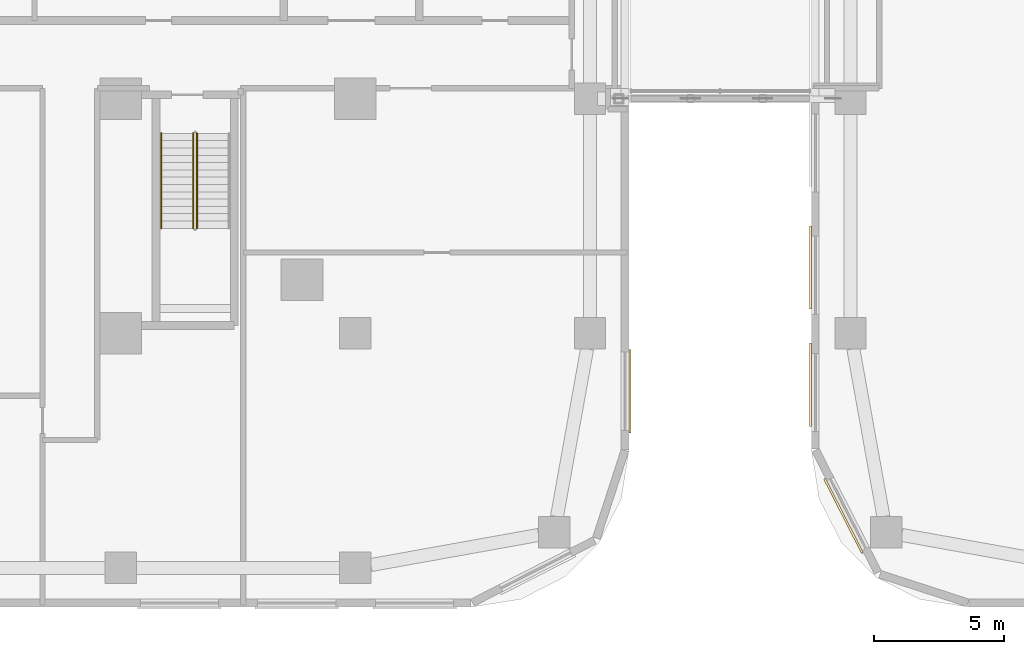
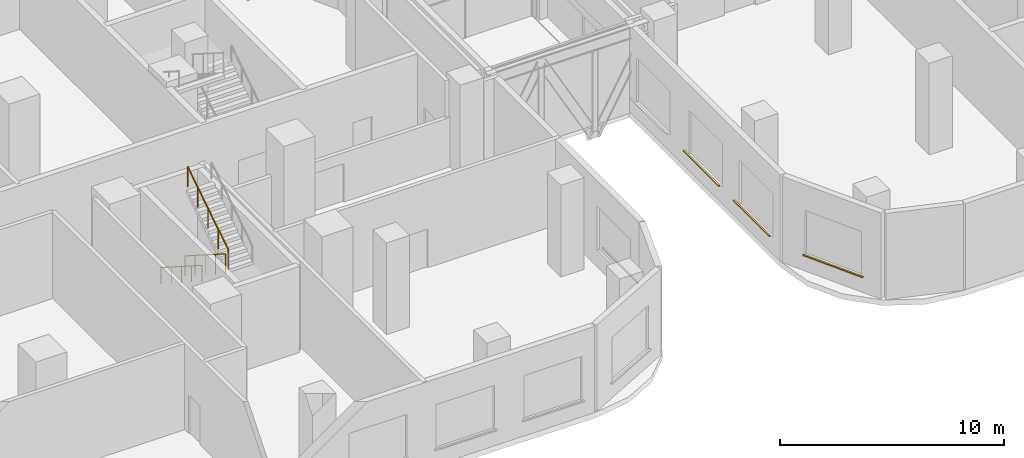
# One storey, part 31 of 35: 4 coverings, 3 railings.
"""IFC4 building model written with IfcOpenShell, lengths in metres."""

import ifcopenshell
import ifcopenshell.guid

model = None  # the IFC model being written
_history = None  # IfcOwnerHistory: only IFC2X3 demands one
_inside = {}  # id of a spatial element -> (the spatial element, [elements in it])
_under = {}  # id of a project, library or spatial element -> (it, [spatial elements below it])
_declared = {}  # id of a project -> (the project, [libraries it declares])
_typed = {}  # id of a type object -> (the type object, [elements of that type])
_made_of = {}  # id of a material, layer set ... -> (it, [elements and type objects made of it])


def new_model(schema):
    """Start an empty IFC model of exactly this schema.

    Asked for "IFC4X3", IfcOpenShell would pick the latest addendum, in which some entities
    have other attributes; the version numbers below select the first issue.
    IFC2X3 requires an IfcOwnerHistory on every rooted entity: one is made here for all.
    """
    global model, _history
    if schema == "IFC4X3":
        model = ifcopenshell.file(schema_version=(4, 3, 0, 0))
    else:
        model = ifcopenshell.file(schema=schema)
    _inside.clear()
    _under.clear()
    _declared.clear()
    _typed.clear()
    _made_of.clear()
    _history = None
    if model.schema == "IFC2X3":
        org = make("IfcOrganization", Name="unknown")
        user = make(
            "IfcPersonAndOrganization",
            ThePerson=make("IfcPerson", FamilyName="unknown"),
            TheOrganization=org,
        )
        app = make(
            "IfcApplication",
            ApplicationDeveloper=org,
            Version="unknown",
            ApplicationFullName="unknown",
            ApplicationIdentifier="unknown",
        )
        _history = make(
            "IfcOwnerHistory",
            OwningUser=user,
            OwningApplication=app,
            ChangeAction="ADDED",
            CreationDate=0,
        )
    return model


def make(cls, **values):
    """One entity of the class cls with the attributes given. An attribute that is None is left unset."""
    return model.create_entity(
        cls, **{name: value for name, value in values.items() if value is not None}
    )


def rooted(cls, **values):
    """An entity with a GlobalId (a new one), such as an element, a storey or a relation."""
    return make(cls, GlobalId=ifcopenshell.guid.new(), OwnerHistory=_history, **values)


def si_unit(unit_type, name, prefix=None):
    """IfcSIUnit, for example si_unit("LENGTHUNIT", "METRE", prefix="MILLI")."""
    return make("IfcSIUnit", UnitType=unit_type, Prefix=prefix, Name=name)


def assignment(units):
    """IfcUnitAssignment: the units of a project."""
    return None if units is None else make("IfcUnitAssignment", Units=units)


def point(xyz):
    """IfcCartesianPoint."""
    return None if xyz is None else make("IfcCartesianPoint", Coordinates=xyz)


def direction(xyz):
    """IfcDirection."""
    return None if xyz is None else make("IfcDirection", DirectionRatios=xyz)


def frame(location, z_axis=None, x_axis=None):
    """IfcAxis2Placement3D, a coordinate frame: its origin and axes. An axis left out is left unset."""
    return make(
        "IfcAxis2Placement3D",
        Location=point(location),
        Axis=direction(z_axis),
        RefDirection=direction(x_axis),
    )


def frame_2d(location, x_axis=None):
    """IfcAxis2Placement2D, a coordinate frame in the plane: its origin and x axis."""
    return make(
        "IfcAxis2Placement2D", Location=point(location), RefDirection=direction(x_axis)
    )


def origin():
    """The frame at (0, 0, 0) with its axes left unset."""
    return frame((0.0, 0.0, 0.0))


def origin_2d():
    """The frame at (0, 0) in the plane with its x axis left unset."""
    return frame_2d((0.0, 0.0))


def place(relative_to, where):
    """IfcLocalPlacement: puts the frame where relative to a parent placement (None: the world)."""
    return make(
        "IfcLocalPlacement", PlacementRelTo=relative_to, RelativePlacement=where
    )


def context(
    kind, dimensions, precision=None, world=None, true_north=None, identifier=None
):
    """IfcGeometricRepresentationContext, for example the 3D "Model" context."""
    return make(
        "IfcGeometricRepresentationContext",
        ContextIdentifier=identifier,
        ContextType=kind,
        CoordinateSpaceDimension=dimensions,
        Precision=precision,
        WorldCoordinateSystem=world,
        TrueNorth=true_north,
    )


def subcontext(parent, identifier, kind, view, scale=None):
    """IfcGeometricRepresentationSubContext, for example "Body" below "Model"."""
    return make(
        "IfcGeometricRepresentationSubContext",
        ContextIdentifier=identifier,
        ContextType=kind,
        ParentContext=parent,
        TargetScale=scale,
        TargetView=view,
    )


def project(units=None, contexts=None):
    """IfcProject with its units and contexts."""
    return rooted(
        "IfcProject",
        Name="project",
        RepresentationContexts=contexts,
        UnitsInContext=assignment(units),
    )


def spatial(cls, under=None, at=None, **own):
    """A site, building, storey or space (cls), placed at a placement, below another one or the project."""
    s = rooted(cls, ObjectPlacement=at, **own)
    if under is not None:
        _under.setdefault(under.id(), (under, []))[1].append(s)
    return s


def profile(cls, at=None, kind="AREA", **sizes):
    """A parametric profile (cls). Its sizes go by their IFC names, for example OverallWidth=200.0."""
    return make(cls, ProfileType=kind, Position=at, **sizes)


def rectangle(**sizes):
    """IfcRectangleProfileDef."""
    return profile("IfcRectangleProfileDef", **sizes)


def circle(**sizes):
    """IfcCircleProfileDef."""
    return profile("IfcCircleProfileDef", **sizes)


def extrude(swept, where, along, depth):
    """IfcExtrudedAreaSolid: the profile swept, set in the frame where, extruded along a direction by depth."""
    return make(
        "IfcExtrudedAreaSolid",
        SweptArea=swept,
        Position=where,
        ExtrudedDirection=direction(along),
        Depth=depth,
    )


def shape(context_of_items, identifier, shape_type, items):
    """IfcShapeRepresentation: the items that make up one representation, for example the "Body"."""
    return make(
        "IfcShapeRepresentation",
        ContextOfItems=context_of_items,
        RepresentationIdentifier=identifier,
        RepresentationType=shape_type,
        Items=items,
    )


def material(Name=None, Category=None):
    """IfcMaterial."""
    return make("IfcMaterial", Name=Name, Category=Category)


def layer(
    of_material, thickness, ventilated=None, Name=None, Category=None, Priority=None
):
    """IfcMaterialLayer: one layer of a wall or slab, of a material (None: an air gap)."""
    return make(
        "IfcMaterialLayer",
        Material=of_material,
        LayerThickness=thickness,
        IsVentilated=ventilated,
        Name=Name,
        Category=Category,
        Priority=Priority,
    )


def layer_set(layers, Name=None):
    """IfcMaterialLayerSet."""
    return make("IfcMaterialLayerSet", MaterialLayers=layers, LayerSetName=Name)


def made_of(thing, what):
    """Note that an element or type object is made of a material, layer set ...; save() writes the relation."""
    if what is not None:
        _made_of.setdefault(what.id(), (what, []))[1].append(thing)
    return thing


def type_object(cls, material=None, **own):
    """A type object (cls), such as IfcWallType, which elements share."""
    return made_of(rooted(cls, **own), material)


def element(
    cls,
    number,
    at=None,
    inside=None,
    cuts=None,
    type_object=None,
    material=None,
    context=None,
    identifier="Body",
    shape_type=None,
    held_by="IfcProductDefinitionShape",
    body=None,
    shapes=None,
    **own,
):
    """One element of the class cls, such as IfcWall. Its Tag is "e" and its number.

    at: its placement. inside: the storey or other place that contains it. cuts: it is an
    opening in that element (IfcRelVoidsElement). A single representation is given by context,
    identifier, shape_type and body (its items); several are given by shapes. held_by: the class
    of the entity that holds the representations. save() writes the other relations.
    """
    e = rooted(cls, Tag="e%d" % number, ObjectPlacement=at, **own)
    if body is not None:
        shapes = [shape(context, identifier, shape_type, body)]
    if shapes is not None:
        e.Representation = make(held_by, Representations=shapes)
    if inside is not None:
        _inside.setdefault(inside.id(), (inside, []))[1].append(e)
    if cuts is not None:
        rooted(
            "IfcRelVoidsElement", RelatingBuildingElement=cuts, RelatedOpeningElement=e
        )
    if type_object is not None:
        _typed.setdefault(type_object.id(), (type_object, []))[1].append(e)
    return made_of(e, material)


def aggregate(whole, parts):
    """IfcRelAggregates: a whole, such as a stair, and the parts it consists of."""
    return rooted("IfcRelAggregates", RelatingObject=whole, RelatedObjects=parts)


def save(model, path):
    """Write the relations noted so far, then the file.

    IfcRelAggregates (storeys below a building ...), IfcRelContainedInSpatialStructure (elements
    in a storey), IfcRelDefinesByType, IfcRelAssociatesMaterial and IfcRelDeclares: one each for
    every whole, place, type object, material and project.
    """
    for whole, parts in _under.values():
        aggregate(whole, parts)
    for where, things in _inside.values():
        rooted(
            "IfcRelContainedInSpatialStructure",
            RelatedElements=things,
            RelatingStructure=where,
        )
    for kind, things in _typed.values():
        rooted("IfcRelDefinesByType", RelatedObjects=things, RelatingType=kind)
    for what, things in _made_of.values():
        rooted("IfcRelAssociatesMaterial", RelatedObjects=things, RelatingMaterial=what)
    for by, libraries in _declared.values():
        rooted("IfcRelDeclares", RelatingContext=by, RelatedDefinitions=libraries)
    model.write(path)


model = new_model("IFC4")

# Units and contexts
model_context = context("Model", 3, precision=1e-05, world=origin(), true_north=direction((0.0, 1.0)))
body_context = subcontext(model_context, "Body", "Model", "MODEL_VIEW")
ifc_project = project(units=[si_unit("LENGTHUNIT", "METRE"), si_unit("AREAUNIT", "SQUARE_METRE"), si_unit("VOLUMEUNIT", "CUBIC_METRE"), si_unit("PLANEANGLEUNIT", "RADIAN"), si_unit("MASSUNIT", "GRAM", prefix="KILO")], contexts=[model_context])

# Site, building, storey
site_placement = place(None, origin())
site = spatial("IfcSite", under=ifc_project, at=site_placement, CompositionType="ELEMENT")
building_placement = place(site_placement, origin())
building = spatial("IfcBuilding", under=site, at=building_placement, Name="Ogive Portal Towers", CompositionType="ELEMENT")
storey_placement = place(building_placement, frame((0.0, 0.0, 23.5)))
storey = spatial("IfcBuildingStorey", under=building, at=storey_placement, Name="L04", CompositionType="ELEMENT", Elevation=23.5)

# Railings
ifc_material_1 = material(Name="Stainless steel balustrade", Category="steel")
railing_type_1 = type_object("IfcRailingType", Name="INT-GUARD", PredefinedType="GUARDRAIL", material=ifc_material_1)
railing_1_placement = place(storey_placement, frame((88.280029296875, 29.169921875, 0.178466796875)))
element("IfcRailing", 1, at=railing_1_placement, inside=storey, type_object=railing_type_1, Name="L04 ST-A4 stair guard 1", PredefinedType="GUARDRAIL", context=body_context, shape_type="SweptSolid", body=[
    extrude(circle(Radius=0.02392578125, at=origin_2d()), frame((0.0, 0.0, 1.076171875), z_axis=(0.0, -0.843111507901, 0.53773877045), x_axis=(1.0, 0.0, 0.0)), (0.0, 0.0, 1.0), 4.317138671875),
    extrude(circle(Radius=0.02099609375, at=origin_2d()), origin(), (0.0, 0.0, 1.0), 1.052001953125),
    extrude(circle(Radius=0.02099609375, at=origin_2d()), frame((0.0, -0.909912109375, 0.580322265625)), (0.0, 0.0, 1.0), 1.052001953125),
    extrude(circle(Radius=0.02099609375, at=origin_2d()), frame((0.0, -1.81982421875, 1.16064453125)), (0.0, 0.0, 1.0), 1.052001953125),
    extrude(circle(Radius=0.02099609375, at=origin_2d()), frame((0.0, -2.72998046875, 1.7412109375)), (0.0, 0.0, 1.0), 1.052001953125),
    extrude(circle(Radius=0.02099609375, at=origin_2d()), frame((0.0, -3.639892578125, 2.321533203125)), (0.0, 0.0, 1.0), 1.052001953125),
])
railing_2_placement = place(storey_placement, frame((88.419921875, 25.530029296875, 2.678466796875)))
element("IfcRailing", 2, at=railing_2_placement, inside=storey, type_object=railing_type_1, Name="L04 ST-A4 stair guard 3", PredefinedType="GUARDRAIL", context=body_context, shape_type="SweptSolid", body=[
    extrude(circle(Radius=0.02392578125, at=origin_2d()), frame((0.0, 0.0, 1.076171875), z_axis=(0.0, 0.843111507901, 0.53773877045), x_axis=(-1.0, 0.0, 0.0)), (0.0, 0.0, 1.0), 4.317138671875),
    extrude(circle(Radius=0.02099609375, at=origin_2d()), origin(), (0.0, 0.0, 1.0), 1.052001953125),
    extrude(circle(Radius=0.02099609375, at=origin_2d()), frame((0.0, 0.909912109375, 0.580322265625)), (0.0, 0.0, 1.0), 1.052001953125),
    extrude(circle(Radius=0.02099609375, at=origin_2d()), frame((0.0, 1.81982421875, 1.16064453125)), (0.0, 0.0, 1.0), 1.052001953125),
    extrude(circle(Radius=0.02099609375, at=origin_2d()), frame((0.0, 2.72998046875, 1.7412109375)), (0.0, 0.0, 1.0), 1.052001953125),
    extrude(circle(Radius=0.02099609375, at=origin_2d()), frame((0.0, 3.639892578125, 2.321533203125)), (0.0, 0.0, 1.0), 1.052001953125),
])
ifc_material_2 = material(Name="Stainless steel handrail", Category="steel")
railing_type_2 = type_object("IfcRailingType", Name="INT-HANDRAIL", PredefinedType="HANDRAIL", material=ifc_material_2)
railing_3_placement = place(storey_placement, frame((87.050048828125, 29.169921875, 0.178466796875)))
element("IfcRailing", 3, at=railing_3_placement, inside=storey, type_object=railing_type_2, Name="L04 ST-A4 stair handrail 1", PredefinedType="HANDRAIL", context=body_context, shape_type="SweptSolid", body=[
    extrude(circle(Radius=0.02392578125, at=origin_2d()), frame((0.0, 0.0, 0.8759765625), z_axis=(0.0, -0.843111507901, 0.53773877045), x_axis=(1.0, 0.0, 0.0)), (0.0, 0.0, 1.0), 4.317138671875),
    extrude(circle(Radius=0.02099609375, at=origin_2d()), origin(), (0.0, 0.0, 1.0), 0.851806640625),
    extrude(circle(Radius=0.02099609375, at=origin_2d()), frame((0.0, -0.909912109375, 0.580322265625)), (0.0, 0.0, 1.0), 0.851806640625),
    extrude(circle(Radius=0.02099609375, at=origin_2d()), frame((0.0, -1.81982421875, 1.16064453125)), (0.0, 0.0, 1.0), 0.851806640625),
    extrude(circle(Radius=0.02099609375, at=origin_2d()), frame((0.0, -2.72998046875, 1.7412109375)), (0.0, 0.0, 1.0), 0.851806640625),
    extrude(circle(Radius=0.02099609375, at=origin_2d()), frame((0.0, -3.639892578125, 2.321533203125)), (0.0, 0.0, 1.0), 0.851806640625),
])

# Coverings
ifc_material_3 = material(Name="Limestone cladding on lightweight block wall", Category="masonry")
ifc_layer = layer(ifc_material_3, 0.080078125)
ifc_layer_set = layer_set([ifc_layer], Name="STONE SILL 80")
covering_type = type_object("IfcCoveringType", Name="STONE SILL 80", PredefinedType="CLADDING", material=ifc_layer_set)
for number, where, z_axis, x_axis, name in (
    (4, (105.0400390625, 19.273681640625, 0.840087890625), (0.0, 0.0, 1.0), (0.0, 1.0, 0.0), "Stone sill"),
    (5, (113.233642578125, 14.49072265625, 0.840087890625), (0.0, 0.0, 1.0), (0.45399049974, -0.891006524188, 0.0), "Stone sill"),
    (6, (111.9599609375, 24.023681640625, 0.840087890625), (0.0, 0.0, 1.0), (0.0, -1.0, 0.0), "Stone sill"),
    (7, (111.9599609375, 19.523681640625, 0.840087890625), (0.0, 0.0, 1.0), (0.0, -1.0, 0.0), "Stone sill"),
):
    element("IfcCovering", number, at=place(storey_placement, frame(where, z_axis=z_axis, x_axis=x_axis)), inside=storey, type_object=covering_type, Name=name, PredefinedType="CLADDING", context=body_context, shape_type="SweptSolid", body=[
        extrude(rectangle(XDim=3.199951171875, YDim=0.080078125, at=origin_2d()), origin(), (0.0, 0.0, 1.0), 0.06005859375),
    ])

save(model, "model.ifc")
